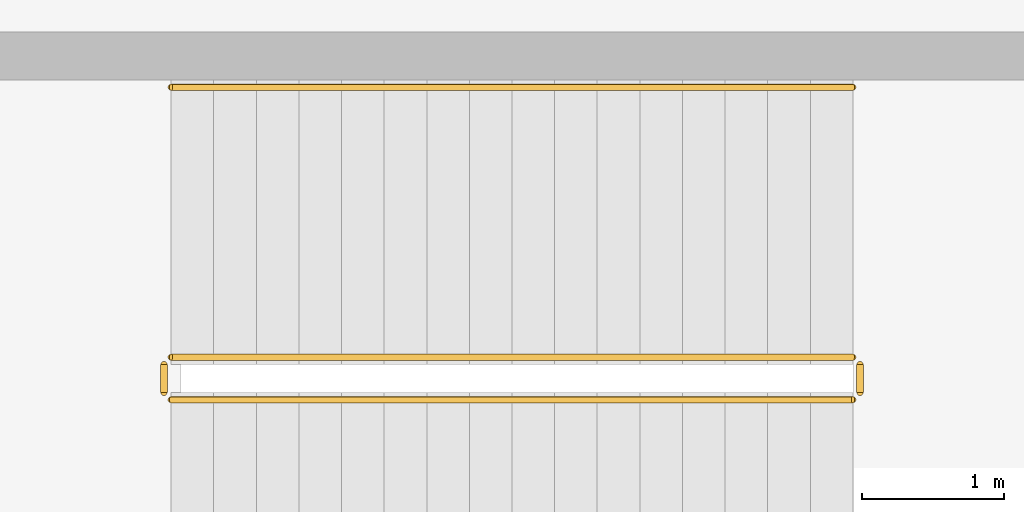
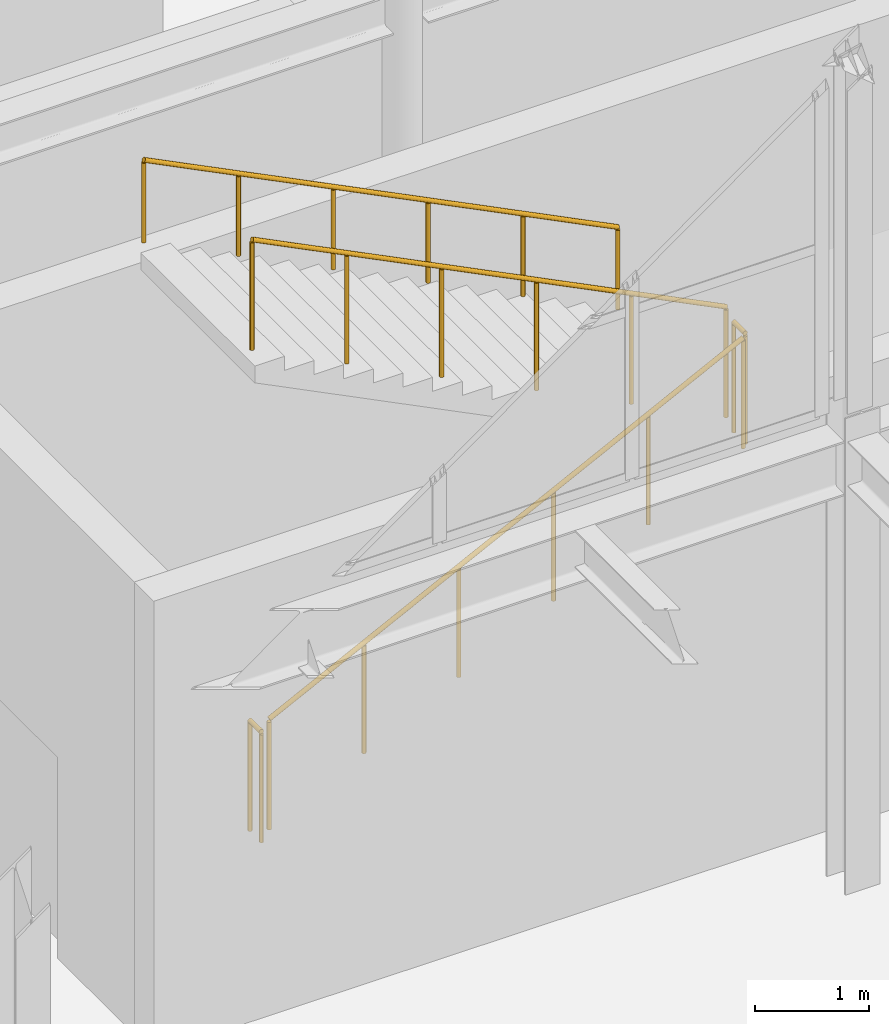
# One storey, part 89 of 91: 5 railings.
"""IFC4 building model written with IfcOpenShell, lengths in metres."""

from ifc_helpers import new_model, si_unit, direction, frame, origin, origin_2d, place, context, subcontext, project, spatial, circle, extrude, material, type_object, element, save


model = new_model("IFC4")

# Units and contexts
model_context = context("Model", 3, precision=1e-05, world=origin(), true_north=direction((0.0, 1.0)))
body_context = subcontext(model_context, "Body", "Model", "MODEL_VIEW")
ifc_project = project(units=[si_unit("LENGTHUNIT", "METRE"), si_unit("AREAUNIT", "SQUARE_METRE"), si_unit("VOLUMEUNIT", "CUBIC_METRE"), si_unit("PLANEANGLEUNIT", "RADIAN"), si_unit("MASSUNIT", "GRAM", prefix="KILO"), si_unit("THERMODYNAMICTEMPERATUREUNIT", "KELVIN")], contexts=[model_context])

# Site, building, storey
site_placement = place(None, origin())
site = spatial("IfcSite", under=ifc_project, at=site_placement, CompositionType="ELEMENT")
building_placement = place(site_placement, origin())
building = spatial("IfcBuilding", under=site, at=building_placement, Name="Lustrewick Department Store", CompositionType="ELEMENT")
storey_placement = place(building_placement, frame((0.0, 0.0, 21.60009765625)))
storey = spatial("IfcBuildingStorey", under=building, at=storey_placement, Name="L05", CompositionType="ELEMENT", Elevation=21.60009765625)

# Railings
ifc_material_1 = material(Name="Painted tubular steel stairwell guardrail", Category="steel")
railing_type_1 = type_object("IfcRailingType", Name="RL-STG", PredefinedType="GUARDRAIL", material=ifc_material_1)
railing_1_placement = place(storey_placement, frame((138.64990234375, 45.050048828125, 0.14990234375)))
element("IfcRailing", 1, at=railing_1_placement, inside=storey, type_object=railing_type_1, Name="L05 ST08 Stair Guard 1", PredefinedType="GUARDRAIL", context=body_context, shape_type="SweptSolid", body=[
    extrude(circle(Radius=0.02392578125, at=origin_2d()), frame((0.0, 0.0, 1.17578125), z_axis=(0.894436289399, 0.0, 0.44719539824), x_axis=(0.0, 1.0, 0.0)), (0.0, 0.0, 1.0), 5.366455078125),
    extrude(circle(Radius=0.02099609375, at=origin_2d()), origin(), (0.0, 0.0, 1.0), 1.15185546875),
    extrude(circle(Radius=0.02099609375, at=origin_2d()), frame((0.9599609375, 0.0, 0.47998046875)), (0.0, 0.0, 1.0), 1.15185546875),
    extrude(circle(Radius=0.02099609375, at=origin_2d()), frame((1.919921875, 0.0, 0.9599609375)), (0.0, 0.0, 1.0), 1.15185546875),
    extrude(circle(Radius=0.02099609375, at=origin_2d()), frame((2.880126953125, 0.0, 1.43994140625)), (0.0, 0.0, 1.0), 1.15185546875),
    extrude(circle(Radius=0.02099609375, at=origin_2d()), frame((3.840087890625, 0.0, 1.919921875)), (0.0, 0.0, 1.0), 1.15185546875),
    extrude(circle(Radius=0.02099609375, at=origin_2d()), frame((4.800048828125, 0.0, 2.39990234375)), (0.0, 0.0, 1.0), 1.15185546875),
])
railing_2_placement = place(storey_placement, frame((143.5, 45.10009765625, 2.5498046875)))
element("IfcRailing", 2, at=railing_2_placement, inside=storey, type_object=railing_type_1, Name="L05 ST08 Stair Guard 2", PredefinedType="GUARDRAIL", context=body_context, shape_type="SweptSolid", body=[
    extrude(circle(Radius=0.02392578125, at=origin_2d()), frame((0.0, 0.0, 1.17578125), z_axis=(0.0, 1.0, 0.0), x_axis=(-1.0, 0.0, 0.0)), (0.0, 0.0, 1.0), 0.199951171875),
    extrude(circle(Radius=0.02099609375, at=origin_2d()), origin(), (0.0, 0.0, 1.0), 1.15185546875),
    extrude(circle(Radius=0.02099609375, at=origin_2d()), frame((0.0, 0.199951171875, 0.0)), (0.0, 0.0, 1.0), 1.15185546875),
])
railing_3_placement = place(storey_placement, frame((143.449951171875, 45.35009765625, 2.699951171875)))
element("IfcRailing", 3, at=railing_3_placement, inside=storey, type_object=railing_type_1, Name="L05 ST08 Stair Guard 3", PredefinedType="GUARDRAIL", context=body_context, shape_type="SweptSolid", body=[
    extrude(circle(Radius=0.02392578125, at=origin_2d()), frame((0.0, 0.0, 1.17578125), z_axis=(-0.894436289399, 0.0, 0.44719539824), x_axis=(0.0, -1.0, 0.0)), (0.0, 0.0, 1.0), 5.366455078125),
    extrude(circle(Radius=0.02099609375, at=origin_2d()), origin(), (0.0, 0.0, 1.0), 1.15185546875),
    extrude(circle(Radius=0.02099609375, at=origin_2d()), frame((-0.9599609375, 0.0, 0.47998046875)), (0.0, 0.0, 1.0), 1.15185546875),
    extrude(circle(Radius=0.02099609375, at=origin_2d()), frame((-1.919921875, 0.0, 0.9599609375)), (0.0, 0.0, 1.0), 1.15185546875),
    extrude(circle(Radius=0.02099609375, at=origin_2d()), frame((-2.880126953125, 0.0, 1.43994140625)), (0.0, 0.0, 1.0), 1.15185546875),
    extrude(circle(Radius=0.02099609375, at=origin_2d()), frame((-3.840087890625, 0.0, 1.919921875)), (0.0, 0.0, 1.0), 1.15185546875),
    extrude(circle(Radius=0.02099609375, at=origin_2d()), frame((-4.800048828125, 0.0, 2.39990234375)), (0.0, 0.0, 1.0), 1.15185546875),
])
railing_4_placement = place(storey_placement, frame((138.60009765625, 45.10009765625, 0.0)))
element("IfcRailing", 4, at=railing_4_placement, inside=storey, type_object=railing_type_1, Name="L05 ST08 Stair Guard 4", PredefinedType="GUARDRAIL", context=body_context, shape_type="SweptSolid", body=[
    extrude(circle(Radius=0.02392578125, at=origin_2d()), frame((0.0, 0.0, 1.17578125), z_axis=(0.0, 1.0, 0.0), x_axis=(-1.0, 0.0, 0.0)), (0.0, 0.0, 1.0), 0.199951171875),
    extrude(circle(Radius=0.02099609375, at=origin_2d()), origin(), (0.0, 0.0, 1.0), 1.15185546875),
    extrude(circle(Radius=0.02099609375, at=origin_2d()), frame((0.0, 0.199951171875, 0.0)), (0.0, 0.0, 1.0), 1.15185546875),
])
ifc_material_2 = material(Name="Brushed stainless steel wall handrail", Category="steel")
railing_type_2 = type_object("IfcRailingType", Name="RL-STH", PredefinedType="HANDRAIL", material=ifc_material_2)
railing_5_placement = place(storey_placement, frame((143.449951171875, 47.25, 2.699951171875)))
element("IfcRailing", 5, at=railing_5_placement, inside=storey, type_object=railing_type_2, Name="L05 ST08 Stair Handrail 2", PredefinedType="HANDRAIL", context=body_context, shape_type="SweptSolid", body=[
    extrude(circle(Radius=0.02392578125, at=origin_2d()), frame((0.0, 0.0, 0.8759765625), z_axis=(-0.894436289399, 0.0, 0.44719539824), x_axis=(0.0, -1.0, 0.0)), (0.0, 0.0, 1.0), 5.366455078125),
    extrude(circle(Radius=0.02099609375, at=origin_2d()), origin(), (0.0, 0.0, 1.0), 0.851806640625),
    extrude(circle(Radius=0.02099609375, at=origin_2d()), frame((-0.9599609375, 0.0, 0.47998046875)), (0.0, 0.0, 1.0), 0.851806640625),
    extrude(circle(Radius=0.02099609375, at=origin_2d()), frame((-1.919921875, 0.0, 0.9599609375)), (0.0, 0.0, 1.0), 0.851806640625),
    extrude(circle(Radius=0.02099609375, at=origin_2d()), frame((-2.880126953125, 0.0, 1.43994140625)), (0.0, 0.0, 1.0), 0.851806640625),
    extrude(circle(Radius=0.02099609375, at=origin_2d()), frame((-3.840087890625, 0.0, 1.919921875)), (0.0, 0.0, 1.0), 0.851806640625),
    extrude(circle(Radius=0.02099609375, at=origin_2d()), frame((-4.800048828125, 0.0, 2.39990234375)), (0.0, 0.0, 1.0), 0.851806640625),
])

save(model, "model.ifc")
